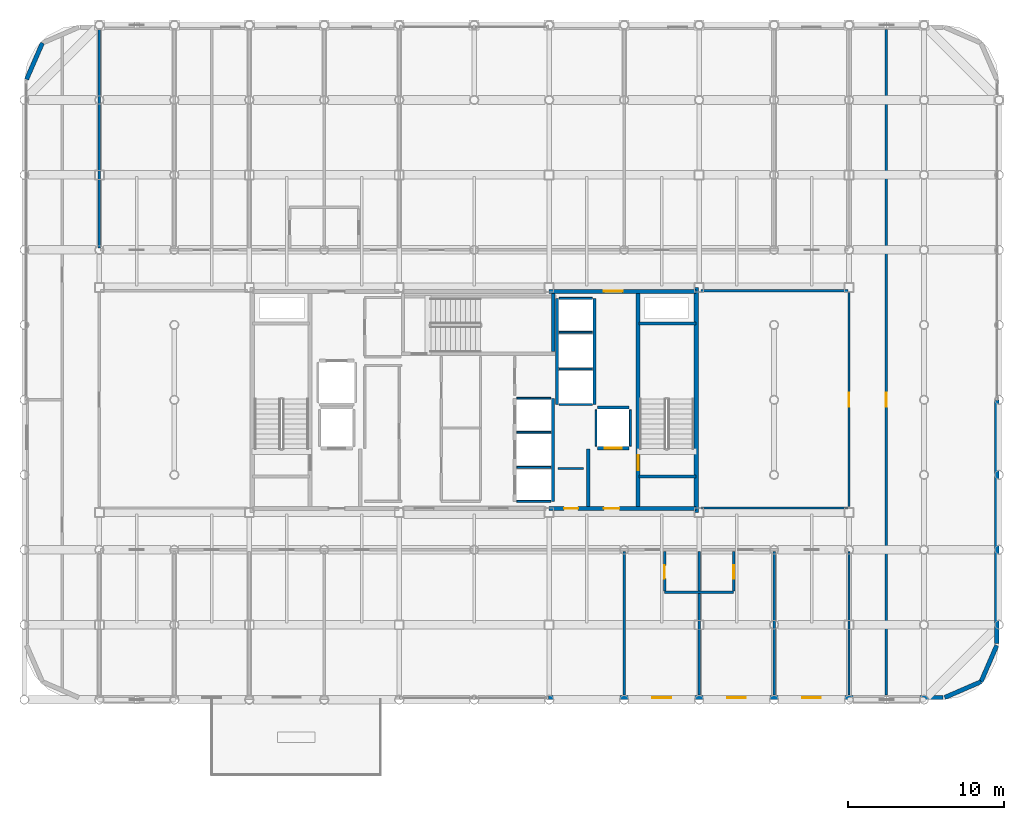
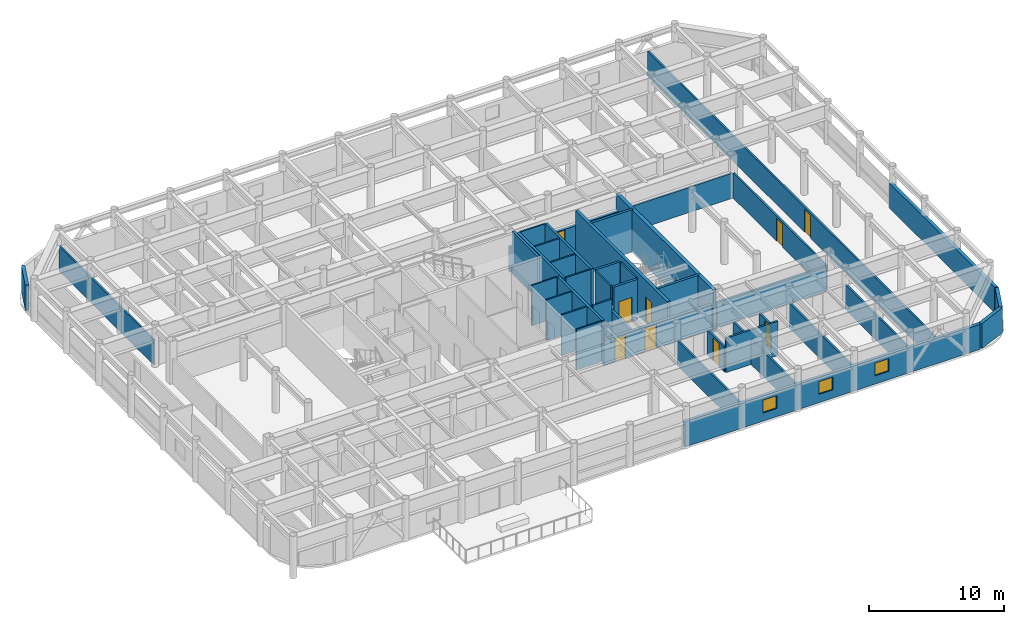
# One storey, part 22 of 26: 41 walls, 9 doors, 3 windows, 12 openings.
"""IFC4 building model written with IfcOpenShell, lengths in metres."""

from ifc_helpers import new_model, si_unit, direction, frame, frame_2d, origin, place, context, subcontext, project, spatial, rectangle, extrude, material, layer, layer_set, type_object, element, fill, save


model = new_model("IFC4")

# Units and contexts
model_context = context("Model", 3, precision=1e-05, world=origin(), true_north=direction((0.0, 1.0)))
body_context = subcontext(model_context, "Body", "Model", "MODEL_VIEW")
ifc_project = project(units=[si_unit("LENGTHUNIT", "METRE"), si_unit("AREAUNIT", "SQUARE_METRE"), si_unit("VOLUMEUNIT", "CUBIC_METRE"), si_unit("PLANEANGLEUNIT", "RADIAN"), si_unit("MASSUNIT", "GRAM", prefix="KILO")], contexts=[model_context])

# Site, building, storey
site_placement = place(None, origin())
site = spatial("IfcSite", under=ifc_project, at=site_placement, CompositionType="ELEMENT")
building_placement = place(site_placement, origin())
building = spatial("IfcBuilding", under=site, at=building_placement, Name="Kallvorn Hotel Tower", CompositionType="ELEMENT")
storey_placement = place(building_placement, frame((0.0, 0.0, 222.300048828125)))
storey = spatial("IfcBuildingStorey", under=building, at=storey_placement, Name="L55", CompositionType="ELEMENT", Elevation=222.300048828125)

# Walls
ifc_material_1 = material(Name="Concrete C50/60", Category="concrete")
ifc_layer_1 = layer(ifc_material_1, 0.300048828125)
ifc_layer_set_1 = layer_set([ifc_layer_1], Name="WL_CORE_300")
wall_type_1 = type_object("IfcWallType", Name="WL_CORE_300", PredefinedType="SHEAR", material=ifc_layer_set_1)
wall_1_placement = place(storey_placement, frame((14.215087890625, -7.199951171875, -0.179931640625), z_axis=(0.0, 0.0, 1.0), x_axis=(0.0, 1.0, 0.0)))
element("IfcWall", 1, at=wall_1_placement, inside=storey, type_object=wall_type_1, Name="L55 Core East Shear Wall", PredefinedType="SHEAR", context=body_context, shape_type="SweptSolid", body=[
    extrude(rectangle(XDim=14.39990234375, YDim=0.300048828125, at=frame_2d((7.199951171875, 0.0))), origin(), (0.0, 0.0, 1.0), 3.849853515625),
])
ifc_material_2 = material(Name="Fire-rated double-layer acoustic gypsum drywall EI 60")
ifc_layer_2 = layer(ifc_material_2, 0.159912109375)
ifc_layer_set_2 = layer_set([ifc_layer_2], Name="WL_DEMISE_160")
wall_type_2 = type_object("IfcWallType", Name="WL_DEMISE_160", PredefinedType="PARTITIONING", material=ifc_layer_set_2)
wall_2_placement = place(storey_placement, frame((12.18994140625, -12.320068359375, 0.0), z_axis=(0.0, 0.0, 1.0), x_axis=(1.0, 0.0, 0.0)))
element("IfcWall", 2, at=wall_2_placement, inside=storey, type_object=wall_type_2, Name="L55 Suite 5501 Superior Twin Room Partition", PredefinedType="PARTITIONING", context=body_context, shape_type="SweptSolid", body=[
    extrude(rectangle(XDim=4.420166015625, YDim=0.159912109375, at=frame_2d((2.2099609375, 0.0))), origin(), (0.0, 0.0, 1.0), 3.119873046875),
])
wall_3_placement = place(storey_placement, frame((9.60009765625, -18.909912109375, 0.0), z_axis=(0.0, 0.0, 1.0), x_axis=(0.0, 1.0, 0.0)))
element("IfcWall", 3, at=wall_3_placement, inside=storey, type_object=wall_type_2, Name="L55 Suite 5501 Superior Twin Room Partition", PredefinedType="PARTITIONING", context=body_context, shape_type="SweptSolid", body=[
    extrude(rectangle(XDim=9.18994140625, YDim=0.159912109375, at=frame_2d((4.594970703125, 0.0))), origin(), (0.0, 0.0, 1.0), 2.27001953125),
])

# Wall, opening, door
wall_4_placement = place(storey_placement, frame((12.18994140625, -12.235107421875, 0.0), z_axis=(0.0, 0.0, 1.0), x_axis=(0.0, 1.0, 0.0)))
wall_4 = element("IfcWall", 4, at=wall_4_placement, inside=storey, type_object=wall_type_2, Name="L55 Suite 5501 Superior Twin Room Partition", PredefinedType="PARTITIONING", context=body_context, shape_type="SweptSolid", body=[
    extrude(rectangle(XDim=2.51513671875, YDim=0.159912109375, at=frame_2d((1.257568359375, 0.0))), origin(), (0.0, 0.0, 1.0), 2.27001953125),
])
opening_1_placement = place(wall_4_placement, frame((0.784912109375, 0.0, 0.0)))
opening_1 = element("IfcOpeningElement", 5, at=opening_1_placement, cuts=wall_4, Name="Opening BD-I", PredefinedType="OPENING", context=body_context, shape_type="SweptSolid", body=[
    extrude(rectangle(XDim=0.860107421875, YDim=2.10009765625, at=frame_2d((0.43017578125, 1.050048828125))), frame((0.0, 0.094970703125, 0.0), z_axis=(0.0, -1.0, 0.0), x_axis=(1.0, 0.0, 0.0)), (0.0, 0.0, 1.0), 0.18994140625),
])
ifc_material_3 = material(Name="Solid-core walnut veneer fire-rated timber door leaf", Category="wood")
door_type_1 = type_object("IfcDoorType", Name="DR_BATH_860x2100", OperationType="NOTDEFINED", PredefinedType="DOOR", material=ifc_material_3)
door_1_placement = place(opening_1_placement, origin())
door_1 = element("IfcDoor", 6, at=door_1_placement, inside=storey, type_object=door_type_1, Name="L55 Suite 5501 En-Suite Bathroom Door", OperationType="SINGLE_SWING_RIGHT", OverallHeight=2.10009765625, OverallWidth=0.860107421875, PredefinedType="DOOR", context=body_context, shape_type="SweptSolid", body=[
    extrude(rectangle(XDim=0.860107421875, YDim=2.10009765625, at=frame_2d((0.43017578125, 1.050048828125))), frame((0.0, 0.02490234375, 0.0), z_axis=(0.0, -1.0, 0.0), x_axis=(1.0, 0.0, 0.0)), (0.0, 0.0, 1.0), 0.050048828125),
])
fill(opening_1, door_1)

# Wall
wall_5_placement = place(storey_placement, frame((14.39990234375, -18.909912109375, 0.0), z_axis=(0.0, 0.0, 1.0), x_axis=(0.0, 1.0, 0.0)))
element("IfcWall", 7, at=wall_5_placement, inside=storey, type_object=wall_type_2, Name="L55 Suite 5501 Superior Twin Room Partition", PredefinedType="PARTITIONING", context=body_context, shape_type="SweptSolid", body=[
    extrude(rectangle(XDim=9.18994140625, YDim=0.159912109375, at=frame_2d((4.594970703125, 0.0))), origin(), (0.0, 0.0, 1.0), 2.27001953125),
])

# Wall, opening, door
wall_6_placement = place(storey_placement, frame((16.610107421875, -12.235107421875, 0.0), z_axis=(0.0, 0.0, 1.0), x_axis=(0.0, 1.0, 0.0)))
wall_6 = element("IfcWall", 8, at=wall_6_placement, inside=storey, type_object=wall_type_2, Name="L55 Suite 5502 Superior Twin Room Partition", PredefinedType="PARTITIONING", context=body_context, shape_type="SweptSolid", body=[
    extrude(rectangle(XDim=2.51513671875, YDim=0.159912109375, at=frame_2d((1.257568359375, 0.0))), origin(), (0.0, 0.0, 1.0), 2.27001953125),
])
opening_2_placement = place(wall_6_placement, frame((0.784912109375, 0.0, 0.0)))
opening_2 = element("IfcOpeningElement", 9, at=opening_2_placement, cuts=wall_6, Name="Opening BD-I", PredefinedType="OPENING", context=body_context, shape_type="SweptSolid", body=[
    extrude(rectangle(XDim=0.860107421875, YDim=2.10009765625, at=frame_2d((0.43017578125, 1.050048828125))), frame((0.0, 0.094970703125, 0.0), z_axis=(0.0, -1.0, 0.0), x_axis=(1.0, 0.0, 0.0)), (0.0, 0.0, 1.0), 0.18994140625),
])
door_2_placement = place(opening_2_placement, origin())
door_2 = element("IfcDoor", 10, at=door_2_placement, inside=storey, type_object=door_type_1, Name="L55 Suite 5502 En-Suite Bathroom Door", OperationType="SINGLE_SWING_LEFT", OverallHeight=2.10009765625, OverallWidth=0.860107421875, PredefinedType="DOOR", context=body_context, shape_type="SweptSolid", body=[
    extrude(rectangle(XDim=0.860107421875, YDim=2.10009765625, at=frame_2d((0.43017578125, 1.050048828125))), frame((0.0, 0.02490234375, 0.0), z_axis=(0.0, -1.0, 0.0), x_axis=(1.0, 0.0, 0.0)), (0.0, 0.0, 1.0), 0.050048828125),
])
fill(opening_2, door_2)

# Walls
wall_7_placement = place(storey_placement, frame((19.199951171875, -18.909912109375, 0.0), z_axis=(0.0, 0.0, 1.0), x_axis=(0.0, 1.0, 0.0)))
element("IfcWall", 11, at=wall_7_placement, inside=storey, type_object=wall_type_2, Name="L55 Suite 5502 Superior Twin Room Partition", PredefinedType="PARTITIONING", context=body_context, shape_type="SweptSolid", body=[
    extrude(rectangle(XDim=9.18994140625, YDim=0.159912109375, at=frame_2d((4.594970703125, 0.0))), origin(), (0.0, 0.0, 1.0), 2.27001953125),
])
ifc_material_4 = material(Name="Precast basalt-clad insulated concrete wall C40/50", Category="masonry")
ifc_layer_3 = layer(ifc_material_4, 0.280029296875)
ifc_layer_set_3 = layer_set([ifc_layer_3], Name="WL_EXT_LOGGIA_280")
wall_type_3 = type_object("IfcWallType", Name="WL_EXT_LOGGIA_280", PredefinedType="SOLIDWALL", material=ifc_layer_set_3)
wall_8_placement = place(storey_placement, frame((30.120849609375, -19.057861328125, 0.0), z_axis=(0.0, 0.0, 1.0), x_axis=(0.917060872934, 0.398747232384, 0.0)))
element("IfcWall", 12, at=wall_8_placement, inside=storey, type_object=wall_type_3, Name="L55 Rounded Corner Exterior Wall SE1", PredefinedType="SOLIDWALL", context=body_context, shape_type="SweptSolid", body=[
    extrude(rectangle(XDim=2.5361328125, YDim=0.280029296875, at=frame_2d((1.26806640625, 0.0))), origin(), (0.0, 0.0, 1.0), 2.27001953125),
])
for number, where, z_axis, x_axis, name in (
    (13, (32.446533203125, -18.046630859375, 0.0), (0.0, 0.0, 1.0), (0.398792985289, 0.917040977756, 0.0), "L55 Rounded Corner Exterior Wall SE2"),
    (14, (-27.646484375, 22.8466796875, 0.0), (0.0, 0.0, 1.0), (-0.398792985289, -0.917040977756, 0.0), "L55 Rounded Corner Exterior Wall NW2"),
):
    element("IfcWall", number, at=place(storey_placement, frame(where, z_axis=z_axis, x_axis=x_axis)), inside=storey, type_object=wall_type_3, Name=name, PredefinedType="SOLIDWALL", context=body_context, shape_type="SweptSolid", body=[
        extrude(rectangle(XDim=2.536376953125, YDim=0.280029296875, at=frame_2d((1.26806640625, 0.0))), origin(), (0.0, 0.0, 1.0), 2.27001953125),
    ])

# Wall, openings, windows
wall_9_placement = place(storey_placement, frame((4.75, -19.06005859375, 0.0), z_axis=(0.0, 0.0, 1.0), x_axis=(1.0, 0.0, 0.0)))
wall_9 = element("IfcWall", 15, at=wall_9_placement, inside=storey, type_object=wall_type_3, Name="L55 Exterior Envelope Wall EW-L55-SE", PredefinedType="SOLIDWALL", context=body_context, shape_type="SweptSolid", body=[
    extrude(rectangle(XDim=25.25, YDim=0.280029296875, at=frame_2d((12.625, 0.0))), origin(), (0.0, 0.0, 1.0), 2.27001953125),
])
opening_3_placement = place(wall_9_placement, frame((16.25, 0.0, 0.75)))
opening_3 = element("IfcOpeningElement", 16, at=opening_3_placement, cuts=wall_9, Name="Opening W06A", PredefinedType="OPENING", context=body_context, shape_type="SweptSolid", body=[
    extrude(rectangle(XDim=1.199951171875, YDim=1.14990234375, at=frame_2d((0.60009765625, 0.574951171875))), frame((0.0, 0.155029296875, 0.0), z_axis=(0.0, -1.0, 0.0), x_axis=(1.0, 0.0, 0.0)), (0.0, 0.0, 1.0), 0.31005859375),
])
opening_4_placement = place(wall_9_placement, frame((6.64990234375, 0.0, 0.75)))
opening_4 = element("IfcOpeningElement", 17, at=opening_4_placement, cuts=wall_9, Name="Opening W06A", PredefinedType="OPENING", context=body_context, shape_type="SweptSolid", body=[
    extrude(rectangle(XDim=1.199951171875, YDim=1.14990234375, at=frame_2d((0.60009765625, 0.574951171875))), frame((0.0, 0.155029296875, 0.0), z_axis=(0.0, -1.0, 0.0), x_axis=(1.0, 0.0, 0.0)), (0.0, 0.0, 1.0), 0.31005859375),
])
opening_5_placement = place(wall_9_placement, frame((11.449951171875, 0.0, 0.75)))
opening_5 = element("IfcOpeningElement", 18, at=opening_5_placement, cuts=wall_9, Name="Opening W06A", PredefinedType="OPENING", context=body_context, shape_type="SweptSolid", body=[
    extrude(rectangle(XDim=1.199951171875, YDim=1.14990234375, at=frame_2d((0.60009765625, 0.574951171875))), frame((0.0, 0.155029296875, 0.0), z_axis=(0.0, -1.0, 0.0), x_axis=(1.0, 0.0, 0.0)), (0.0, 0.0, 1.0), 0.31005859375),
])
ifc_material_5 = material(Name="Triple-glazed low-e acoustic solar-control dark glass", Category="glass")
window_type = type_object("IfcWindowType", Name="WN_HTL_1200x1150", PartitioningType="SINGLE_PANEL", PredefinedType="WINDOW", material=ifc_material_5)
window_1_placement = place(opening_3_placement, origin())
window_1 = element("IfcWindow", 19, at=window_1_placement, inside=storey, type_object=window_type, Name="L55 Guestroom Exterior Window 01", OverallHeight=1.14990234375, OverallWidth=1.199951171875, PartitioningType="SINGLE_PANEL", PredefinedType="WINDOW", context=body_context, shape_type="SweptSolid", body=[
    extrude(rectangle(XDim=1.199951171875, YDim=1.14990234375, at=frame_2d((0.60009765625, 0.574951171875))), frame((0.0, 0.030029296875, 0.0), z_axis=(0.0, -1.0, 0.0), x_axis=(1.0, 0.0, 0.0)), (0.0, 0.0, 1.0), 0.06005859375),
])
fill(opening_3, window_1)
window_2_placement = place(opening_4_placement, origin())
window_2 = element("IfcWindow", 20, at=window_2_placement, inside=storey, type_object=window_type, Name="L55 Guestroom Exterior Window 05", OverallHeight=1.14990234375, OverallWidth=1.199951171875, PartitioningType="SINGLE_PANEL", PredefinedType="WINDOW", context=body_context, shape_type="SweptSolid", body=[
    extrude(rectangle(XDim=1.199951171875, YDim=1.14990234375, at=frame_2d((0.60009765625, 0.574951171875))), frame((0.0, 0.030029296875, 0.0), z_axis=(0.0, -1.0, 0.0), x_axis=(1.0, 0.0, 0.0)), (0.0, 0.0, 1.0), 0.06005859375),
])
fill(opening_4, window_2)
window_3_placement = place(opening_5_placement, origin())
window_3 = element("IfcWindow", 21, at=window_3_placement, inside=storey, type_object=window_type, Name="L55 Guestroom Exterior Window 06", OverallHeight=1.14990234375, OverallWidth=1.199951171875, PartitioningType="SINGLE_PANEL", PredefinedType="WINDOW", context=body_context, shape_type="SweptSolid", body=[
    extrude(rectangle(XDim=1.199951171875, YDim=1.14990234375, at=frame_2d((0.60009765625, 0.574951171875))), frame((0.0, 0.030029296875, 0.0), z_axis=(0.0, -1.0, 0.0), x_axis=(1.0, 0.0, 0.0)), (0.0, 0.0, 1.0), 0.06005859375),
])
fill(opening_5, window_3)

# Walls
wall_10_placement = place(storey_placement, frame((33.4599609375, -15.60009765625, 0.0), z_axis=(0.0, 0.0, 1.0), x_axis=(0.0, 1.0, 0.0)))
element("IfcWall", 22, at=wall_10_placement, inside=storey, type_object=wall_type_3, Name="L55 Exterior Envelope Wall EW-L55-ES", PredefinedType="SOLIDWALL", context=body_context, shape_type="SweptSolid", body=[
    extrude(rectangle(XDim=15.580078125, YDim=0.280029296875, at=frame_2d((7.7900390625, 0.0))), origin(), (0.0, 0.0, 1.0), 2.27001953125),
])
ifc_material_6 = material(Name="Concrete C40/50", Category="concrete")
ifc_layer_4 = layer(ifc_material_6, 0.219970703125)
ifc_layer_set_4 = layer_set([ifc_layer_4], Name="WL_FFL_220")
wall_type_4 = type_object("IfcWallType", Name="WL_FFL_220", PredefinedType="SOLIDWALL", material=ifc_layer_set_4)
wall_11_placement = place(storey_placement, frame((7.300048828125, -6.820068359375, 0.0), z_axis=(0.0, 0.0, 1.0), x_axis=(0.0, 1.0, 0.0)))
element("IfcWall", 23, at=wall_11_placement, inside=storey, type_object=wall_type_4, Name="L55 Firefighting Lobby East Divider Wall", PredefinedType="SOLIDWALL", context=body_context, shape_type="SweptSolid", body=[
    extrude(rectangle(XDim=3.670166015625, YDim=0.219970703125, at=frame_2d((1.8349609375, 0.0))), origin(), (0.0, 0.0, 1.0), 2.27001953125),
])
ifc_material_7 = material(Name="Concrete C40/50", Category="concrete")
ifc_layer_5 = layer(ifc_material_7, 0.199951171875)
ifc_layer_set_5 = layer_set([ifc_layer_5], Name="WL_HOIST_200")
wall_type_5 = type_object("IfcWallType", Name="WL_HOIST_200", PredefinedType="SOLIDWALL", material=ifc_layer_set_5)
for number, where, z_axis, x_axis, name in (
    (24, (10.550048828125, -4.89990234375, -0.179931640625), (0.0, 0.0, 1.0), (1.0, 0.0, 0.0), "L55 Stair ST2 South Wall"),
    (25, (10.550048828125, 4.89990234375, -0.179931640625), (0.0, 0.0, 1.0), (1.0, 0.0, 0.0), "L55 Stair ST2 North Wall"),
):
    element("IfcWall", number, at=place(storey_placement, frame(where, z_axis=z_axis, x_axis=x_axis)), inside=storey, type_object=wall_type_5, Name=name, PredefinedType="SOLIDWALL", context=body_context, shape_type="SweptSolid", body=[
        extrude(rectangle(XDim=3.64990234375, YDim=0.199951171875, at=frame_2d((1.824951171875, 0.0))), origin(), (0.0, 0.0, 1.0), 3.849853515625),
    ])
wall_12_placement = place(storey_placement, frame((5.06005859375, 3.080078125, -0.179931640625), z_axis=(0.0, 0.0, 1.0), x_axis=(0.0, 1.0, 0.0)))
element("IfcWall", 26, at=wall_12_placement, inside=storey, type_object=wall_type_5, Name="L55 Stair ST3 East Wall", PredefinedType="SOLIDWALL", context=body_context, shape_type="SweptSolid", body=[
    extrude(rectangle(XDim=3.739990234375, YDim=0.199951171875, at=frame_2d((1.8701171875, 0.0))), origin(), (0.0, 0.0, 1.0), 3.849853515625),
])
wall_13_placement = place(storey_placement, frame((5.050048828125, -6.5, 0.0), z_axis=(0.0, 0.0, 1.0), x_axis=(0.0, 1.0, 0.0)))
element("IfcWall", 27, at=wall_13_placement, inside=storey, type_object=wall_type_5, Name="L55 Lift Bank B3A Rear Shaft Wall", PredefinedType="SOLIDWALL", context=body_context, shape_type="SweptSolid", body=[
    extrude(rectangle(XDim=6.60009765625, YDim=0.199951171875, at=frame_2d((3.300048828125, 0.0))), origin(), (0.0, 0.0, 1.0), 3.669921875),
])
for number, where, z_axis, x_axis, name in (
    (28, (7.699951171875, -0.300048828125, 0.0), (0.0, 0.0, 1.0), (0.0, 1.0, 0.0), "L55 Lift Bank OBS Landing Wall"),
    (29, (5.300048828125, -0.300048828125, 0.0), (0.0, 0.0, 1.0), (0.0, 1.0, 0.0), "L55 Lift Bank OBS Rear Shaft Wall"),
):
    element("IfcWall", number, at=place(storey_placement, frame(where, z_axis=z_axis, x_axis=x_axis)), inside=storey, type_object=wall_type_5, Name=name, PredefinedType="SOLIDWALL", context=body_context, shape_type="SweptSolid", body=[
        extrude(rectangle(XDim=6.800048828125, YDim=0.199951171875, at=frame_2d((3.39990234375, 0.0))), origin(), (0.0, 0.0, 1.0), 3.669921875),
    ])

# Wall, opening, door
wall_14_placement = place(storey_placement, frame((7.8798828125, -3.10009765625, 0.0), z_axis=(0.0, 0.0, 1.0), x_axis=(1.0, 0.0, 0.0)))
wall_14 = element("IfcWall", 30, at=wall_14_placement, inside=storey, type_object=wall_type_5, Name="L55 FL-2 Landing Wall", PredefinedType="SOLIDWALL", context=body_context, shape_type="SweptSolid", body=[
    extrude(rectangle(XDim=2.0400390625, YDim=0.199951171875, at=frame_2d((1.02001953125, 0.0))), origin(), (0.0, 0.0, 1.0), 3.669921875),
])
opening_6_placement = place(wall_14_placement, frame((0.469970703125, 0.0, 0.0)))
opening_6 = element("IfcOpeningElement", 31, at=opening_6_placement, cuts=wall_14, Name="Opening LD-FL-2", PredefinedType="OPENING", context=body_context, shape_type="SweptSolid", body=[
    extrude(rectangle(XDim=1.10009765625, YDim=2.199951171875, at=frame_2d((0.550048828125, 1.10009765625))), frame((0.0, 0.114990234375, 0.0), z_axis=(0.0, -1.0, 0.0), x_axis=(1.0, 0.0, 0.0)), (0.0, 0.0, 1.0), 0.22998046875),
])
ifc_material_8 = material(Name="Brushed stainless-steel automatic sliding lift landing door", Category="steel")
door_type_2 = type_object("IfcDoorType", Name="LD_PASS_1100x2200", OperationType="SLIDING_TO_LEFT", PredefinedType="DOOR", material=ifc_material_8)
door_3_placement = place(opening_6_placement, origin())
door_3 = element("IfcDoor", 32, at=door_3_placement, inside=storey, type_object=door_type_2, Name="L55 Lift Landing Sliding Door LD-FL-2", OperationType="SLIDING_TO_LEFT", OverallHeight=2.199951171875, OverallWidth=1.10009765625, PredefinedType="DOOR", context=body_context, shape_type="SweptSolid", body=[
    extrude(rectangle(XDim=1.10009765625, YDim=2.199951171875, at=frame_2d((0.550048828125, 1.10009765625))), frame((0.0, 0.02490234375, 0.0), z_axis=(0.0, -1.0, 0.0), x_axis=(1.0, 0.0, 0.0)), (0.0, 0.0, 1.0), 0.050048828125),
])
fill(opening_6, door_3)

# Walls
wall_15_placement = place(storey_placement, frame((7.8798828125, -0.5, 0.0), z_axis=(0.0, 0.0, 1.0), x_axis=(1.0, 0.0, 0.0)))
element("IfcWall", 33, at=wall_15_placement, inside=storey, type_object=wall_type_5, Name="L55 FL-2 Rear Shaft Wall", PredefinedType="SOLIDWALL", context=body_context, shape_type="SweptSolid", body=[
    extrude(rectangle(XDim=2.0400390625, YDim=0.199951171875, at=frame_2d((1.02001953125, 0.0))), origin(), (0.0, 0.0, 1.0), 3.669921875),
])
ifc_material_9 = material(Name="Fire-rated double-layer acoustic gypsum drywall EI 60")
ifc_layer_6 = layer(ifc_material_9, 0.1201171875)
ifc_layer_set_6 = layer_set([ifc_layer_6], Name="WL_INT_120")
wall_type_6 = type_object("IfcWallType", Name="WL_INT_120", PredefinedType="PARTITIONING", material=ifc_layer_set_6)
for number, where, z_axis, x_axis, name in (
    (34, (2.739990234375, -6.5, 0.0), (0.0, 0.0, 1.0), (1.0, 0.0, 0.0), "L55 Lift Bank B3A South Closure Wall"),
    (35, (2.739990234375, -4.324951171875, 0.0), (0.0, 0.0, 1.0), (1.0, 0.0, 0.0), "L55 PL-09 Hoistway Divider"),
    (36, (2.739990234375, -2.074951171875, 0.0), (0.0, 0.0, 1.0), (1.0, 0.0, 0.0), "L55 PL-10 Hoistway Divider"),
    (37, (2.739990234375, 0.10009765625, 0.0), (0.0, 0.0, 1.0), (1.0, 0.0, 0.0), "L55 PL-11 Hoistway Divider"),
):
    element("IfcWall", number, at=place(storey_placement, frame(where, z_axis=z_axis, x_axis=x_axis)), inside=storey, type_object=wall_type_6, Name=name, PredefinedType="PARTITIONING", context=body_context, shape_type="SweptSolid", body=[
        extrude(rectangle(XDim=2.169921875, YDim=0.1201171875, at=frame_2d((1.0849609375, 0.0))), origin(), (0.0, 0.0, 1.0), 3.669921875),
    ])
for number, where, z_axis, x_axis, name in (
    (38, (5.43994140625, -0.300048828125, 0.0), (0.0, 0.0, 1.0), (1.0, 0.0, 0.0), "L55 Lift Bank OBS South Closure Wall"),
    (39, (5.43994140625, 1.97509765625, 0.0), (0.0, 0.0, 1.0), (1.0, 0.0, 0.0), "L55 OB-01 Hoistway Divider"),
    (40, (5.43994140625, 4.324951171875, 0.0), (0.0, 0.0, 1.0), (1.0, 0.0, 0.0), "L55 OB-02 Hoistway Divider"),
    (41, (5.43994140625, 6.5, 0.0), (0.0, 0.0, 1.0), (1.0, 0.0, 0.0), "L55 OB-03 Hoistway Divider"),
):
    element("IfcWall", number, at=place(storey_placement, frame(where, z_axis=z_axis, x_axis=x_axis)), inside=storey, type_object=wall_type_6, Name=name, PredefinedType="PARTITIONING", context=body_context, shape_type="SweptSolid", body=[
        extrude(rectangle(XDim=2.1201171875, YDim=0.1201171875, at=frame_2d((1.06005859375, 0.0))), origin(), (0.0, 0.0, 1.0), 3.669921875),
    ])
for number, where, z_axis, x_axis, name in (
    (42, (7.800048828125, -2.9599609375, 0.0), (0.0, 0.0, 1.0), (0.0, 1.0, 0.0), "L55 FL-2 West Shaft Wall"),
    (43, (10.0, -2.9599609375, 0.0), (0.0, 0.0, 1.0), (0.0, 1.0, 0.0), "L55 FL-2 East Shaft Wall"),
):
    element("IfcWall", number, at=place(storey_placement, frame(where, z_axis=z_axis, x_axis=x_axis)), inside=storey, type_object=wall_type_6, Name=name, PredefinedType="PARTITIONING", context=body_context, shape_type="SweptSolid", body=[
        extrude(rectangle(XDim=2.320068359375, YDim=0.1201171875, at=frame_2d((1.16015625, 0.0))), origin(), (0.0, 0.0, 1.0), 3.669921875),
    ])
ifc_material_10 = material(Name="Fire-rated double-layer acoustic gypsum drywall EI 60")
ifc_layer_7 = layer(ifc_material_10, 0.14990234375)
ifc_layer_set_7 = layer_set([ifc_layer_7], Name="WL_PART_150")
wall_type_7 = type_object("IfcWallType", Name="WL_PART_150", PredefinedType="PARTITIONING", material=ifc_layer_set_7)
for number, where, z_axis, x_axis, name in (
    (44, (14.52001953125, -6.919921875, 0.0), (0.0, 0.0, 1.0), (1.0, 0.0, 0.0), "L55 L55 High-Zone Inner East Club Gallery Partition"),
    (45, (14.52001953125, 6.97998046875, 0.0), (0.0, 0.0, 1.0), (1.0, 0.0, 0.0), "L55 L55 High-Zone Inner East Club Gallery Partition"),
):
    element("IfcWall", number, at=place(storey_placement, frame(where, z_axis=z_axis, x_axis=x_axis)), inside=storey, type_object=wall_type_7, Name=name, PredefinedType="PARTITIONING", context=body_context, shape_type="SweptSolid", body=[
        extrude(rectangle(XDim=9.39990234375, YDim=0.14990234375, at=frame_2d((4.699951171875, 0.0))), origin(), (0.0, 0.0, 1.0), 2.27001953125),
    ])
wall_16_placement = place(storey_placement, frame((-24.0, 9.719970703125, 0.0), z_axis=(0.0, 0.0, 1.0), x_axis=(0.0, 1.0, 0.0)))
element("IfcWall", 46, at=wall_16_placement, inside=storey, type_object=wall_type_7, Name="L55 L55 High-Zone North-West Reading Salon Partition", PredefinedType="PARTITIONING", context=body_context, shape_type="SweptSolid", body=[
    extrude(rectangle(XDim=13.989990234375, YDim=0.14990234375, at=frame_2d((6.9951171875, 0.0))), origin(), (0.0, 0.0, 1.0), 2.27001953125),
])
wall_17_placement = place(storey_placement, frame((24.0, -18.909912109375, 0.0), z_axis=(0.0, 0.0, 1.0), x_axis=(0.0, 1.0, 0.0)))
element("IfcWall", 47, at=wall_17_placement, inside=storey, type_object=wall_type_7, Name="L55 L55 High-Zone South-East Wine Bar Partition", PredefinedType="PARTITIONING", context=body_context, shape_type="SweptSolid", body=[
    extrude(rectangle(XDim=9.18994140625, YDim=0.14990234375, at=frame_2d((4.594970703125, 0.0))), origin(), (0.0, 0.0, 1.0), 2.27001953125),
])

# Wall, opening, door
wall_18_placement = place(storey_placement, frame((24.0, -6.8349609375, 0.0), z_axis=(0.0, 0.0, 1.0), x_axis=(0.0, 1.0, 0.0)))
wall_18 = element("IfcWall", 48, at=wall_18_placement, inside=storey, type_object=wall_type_7, Name="L55 L55 High-Zone Inner East Club Gallery Partition", PredefinedType="PARTITIONING", context=body_context, shape_type="SweptSolid", body=[
    extrude(rectangle(XDim=13.72998046875, YDim=0.14990234375, at=frame_2d((6.864990234375, 0.0))), origin(), (0.0, 0.0, 1.0), 2.27001953125),
])
opening_7_placement = place(wall_18_placement, frame((6.385009765625, 0.0, 0.0)))
opening_7 = element("IfcOpeningElement", 49, at=opening_7_placement, cuts=wall_18, Name="Opening SVD1", PredefinedType="OPENING", context=body_context, shape_type="SweptSolid", body=[
    extrude(rectangle(XDim=0.89990234375, YDim=2.10009765625, at=frame_2d((0.449951171875, 1.050048828125))), frame((0.0, 0.08984375, 0.0), z_axis=(0.0, -1.0, 0.0), x_axis=(1.0, 0.0, 0.0)), (0.0, 0.0, 1.0), 0.179931640625),
])
ifc_material_11 = material(Name="Galvanised painted steel fire-rated door assembly", Category="steel")
door_type_3 = type_object("IfcDoorType", Name="DR_SERV_900x2100", OperationType="NOTDEFINED", PredefinedType="DOOR", material=ifc_material_11)
door_4_placement = place(opening_7_placement, origin())
door_4 = element("IfcDoor", 50, at=door_4_placement, inside=storey, type_object=door_type_3, Name="L55 L55 High-Zone Inner East Club Gallery Door", OperationType="SINGLE_SWING_LEFT", OverallHeight=2.10009765625, OverallWidth=0.89990234375, PredefinedType="DOOR", context=body_context, shape_type="SweptSolid", body=[
    extrude(rectangle(XDim=0.89990234375, YDim=2.10009765625, at=frame_2d((0.449951171875, 1.050048828125))), frame((0.0, 0.02490234375, 0.0), z_axis=(0.0, -1.0, 0.0), x_axis=(1.0, 0.0, 0.0)), (0.0, 0.0, 1.0), 0.050048828125),
])
fill(opening_7, door_4)

wall_19_placement = place(storey_placement, frame((26.3798828125, -18.909912109375, 0.0), z_axis=(0.0, 0.0, 1.0), x_axis=(0.0, 1.0, 0.0)))
wall_19 = element("IfcWall", 51, at=wall_19_placement, inside=storey, type_object=wall_type_7, Name="L55 L55 Outer East Sky Observatory Salon Partition", PredefinedType="PARTITIONING", context=body_context, shape_type="SweptSolid", body=[
    extrude(rectangle(XDim=42.619873046875, YDim=0.14990234375, at=frame_2d((21.31005859375, 0.0))), origin(), (0.0, 0.0, 1.0), 2.27001953125),
])
opening_8_placement = place(wall_19_placement, frame((18.4599609375, 0.0, 0.0)))
opening_8 = element("IfcOpeningElement", 52, at=opening_8_placement, cuts=wall_19, Name="Opening SVD1", PredefinedType="OPENING", context=body_context, shape_type="SweptSolid", body=[
    extrude(rectangle(XDim=0.89990234375, YDim=2.10009765625, at=frame_2d((0.449951171875, 1.050048828125))), frame((0.0, 0.08984375, 0.0), z_axis=(0.0, -1.0, 0.0), x_axis=(1.0, 0.0, 0.0)), (0.0, 0.0, 1.0), 0.179931640625),
])
door_5_placement = place(opening_8_placement, origin())
door_5 = element("IfcDoor", 53, at=door_5_placement, inside=storey, type_object=door_type_3, Name="L55 L55 Outer East Sky Observatory Salon Door", OperationType="SINGLE_SWING_LEFT", OverallHeight=2.10009765625, OverallWidth=0.89990234375, PredefinedType="DOOR", context=body_context, shape_type="SweptSolid", body=[
    extrude(rectangle(XDim=0.89990234375, YDim=2.10009765625, at=frame_2d((0.449951171875, 1.050048828125))), frame((0.0, 0.02490234375, 0.0), z_axis=(0.0, -1.0, 0.0), x_axis=(1.0, 0.0, 0.0)), (0.0, 0.0, 1.0), 0.050048828125),
])
fill(opening_8, door_5)

# Wall
ifc_material_12 = material(Name="Moisture-resistant acoustic plumbing chase wall EI 60")
ifc_layer_8 = layer(ifc_material_12, 0.139892578125)
ifc_layer_set_8 = layer_set([ifc_layer_8], Name="WL_PLUMB_140")
wall_type_8 = type_object("IfcWallType", Name="WL_PLUMB_140", PredefinedType="PLUMBINGWALL", material=ifc_layer_set_8)
wall_20_placement = place(storey_placement, frame((5.35009765625, -4.39990234375, 0.0), z_axis=(0.0, 0.0, 1.0), x_axis=(1.0, 0.0, 0.0)))
element("IfcWall", 54, at=wall_20_placement, inside=storey, type_object=wall_type_8, Name="L55 Core Staff Restroom WC Partition", PredefinedType="PLUMBINGWALL", context=body_context, shape_type="SweptSolid", body=[
    extrude(rectangle(XDim=1.64990234375, YDim=0.139892578125, at=frame_2d((0.824951171875, 0.0))), origin(), (0.0, 0.0, 1.0), 3.669921875),
])

# Wall, openings, doors
ifc_material_13 = material(Name="Concrete C40/50", Category="concrete")
ifc_layer_9 = layer(ifc_material_13, 0.25)
ifc_layer_set_9 = layer_set([ifc_layer_9], Name="WL_SHAFT_250")
wall_type_9 = type_object("IfcWallType", Name="WL_SHAFT_250", PredefinedType="SOLIDWALL", material=ifc_layer_set_9)
wall_21_placement = place(storey_placement, frame((4.800048828125, -6.949951171875, 0.0), z_axis=(0.0, 0.0, 1.0), x_axis=(1.0, 0.0, 0.0)))
wall_21 = element("IfcWall", 55, at=wall_21_placement, inside=storey, type_object=wall_type_9, Name="L55 Core South-East Wall", PredefinedType="SOLIDWALL", context=body_context, shape_type="SweptSolid", body=[
    extrude(rectangle(XDim=9.39990234375, YDim=0.25, at=frame_2d((4.699951171875, 0.0))), origin(), (0.0, 0.0, 1.0), 2.27001953125),
])
opening_9_placement = place(wall_21_placement, frame((3.5, 0.0, 0.0)))
opening_9 = element("IfcOpeningElement", 56, at=opening_9_placement, cuts=wall_21, Name="Opening FD1", PredefinedType="OPENING", context=body_context, shape_type="SweptSolid", body=[
    extrude(rectangle(XDim=1.0, YDim=2.14990234375, at=frame_2d((0.5, 1.074951171875))), frame((0.0, 0.139892578125, 0.0), z_axis=(0.0, -1.0, 0.0), x_axis=(1.0, 0.0, 0.0)), (0.0, 0.0, 1.0), 0.280029296875),
])
opening_10_placement = place(wall_21_placement, frame((0.949951171875, 0.0, 0.0)))
opening_10 = element("IfcOpeningElement", 57, at=opening_10_placement, cuts=wall_21, Name="Opening SVD1", PredefinedType="OPENING", context=body_context, shape_type="SweptSolid", body=[
    extrude(rectangle(XDim=0.89990234375, YDim=2.10009765625, at=frame_2d((0.449951171875, 1.050048828125))), frame((0.0, 0.139892578125, 0.0), z_axis=(0.0, -1.0, 0.0), x_axis=(1.0, 0.0, 0.0)), (0.0, 0.0, 1.0), 0.280029296875),
])
ifc_material_14 = material(Name="Galvanised painted steel fire-rated door assembly", Category="steel")
door_type_4 = type_object("IfcDoorType", Name="DR_FFL_1000x2150", OperationType="NOTDEFINED", PredefinedType="DOOR", material=ifc_material_14)
door_6_placement = place(opening_9_placement, origin())
door_6 = element("IfcDoor", 58, at=door_6_placement, inside=storey, type_object=door_type_4, Name="L55 Firefighting Lobby East Door", OperationType="SINGLE_SWING_RIGHT", OverallHeight=2.14990234375, OverallWidth=1.0, PredefinedType="DOOR", context=body_context, shape_type="SweptSolid", body=[
    extrude(rectangle(XDim=1.0, YDim=2.14990234375, at=frame_2d((0.5, 1.074951171875))), frame((0.0, 0.02490234375, 0.0), z_axis=(0.0, -1.0, 0.0), x_axis=(1.0, 0.0, 0.0)), (0.0, 0.0, 1.0), 0.050048828125),
])
fill(opening_9, door_6)
door_7_placement = place(opening_10_placement, origin())
door_7 = element("IfcDoor", 59, at=door_7_placement, inside=storey, type_object=door_type_3, Name="L55 Core Staff Restroom WC Door", OperationType="SINGLE_SWING_LEFT", OverallHeight=2.10009765625, OverallWidth=0.89990234375, PredefinedType="DOOR", context=body_context, shape_type="SweptSolid", body=[
    extrude(rectangle(XDim=0.89990234375, YDim=2.10009765625, at=frame_2d((0.449951171875, 1.050048828125))), frame((0.0, 0.02490234375, 0.0), z_axis=(0.0, -1.0, 0.0), x_axis=(1.0, 0.0, 0.0)), (0.0, 0.0, 1.0), 0.050048828125),
])
fill(opening_10, door_7)

# Wall, opening, door
wall_22_placement = place(storey_placement, frame((4.800048828125, 6.949951171875, 0.0), z_axis=(0.0, 0.0, 1.0), x_axis=(1.0, 0.0, 0.0)))
wall_22 = element("IfcWall", 60, at=wall_22_placement, inside=storey, type_object=wall_type_9, Name="L55 Core North-East Wall", PredefinedType="SOLIDWALL", context=body_context, shape_type="SweptSolid", body=[
    extrude(rectangle(XDim=9.39990234375, YDim=0.25, at=frame_2d((4.699951171875, 0.0))), origin(), (0.0, 0.0, 1.0), 2.27001953125),
])
opening_11_placement = place(wall_22_placement, frame((3.5, 0.0, 0.0)))
opening_11 = element("IfcOpeningElement", 61, at=opening_11_placement, cuts=wall_22, Name="Opening FD2", PredefinedType="OPENING", context=body_context, shape_type="SweptSolid", body=[
    extrude(rectangle(XDim=1.199951171875, YDim=2.199951171875, at=frame_2d((0.60009765625, 1.10009765625))), frame((0.0, 0.139892578125, 0.0), z_axis=(0.0, -1.0, 0.0), x_axis=(1.0, 0.0, 0.0)), (0.0, 0.0, 1.0), 0.280029296875),
])
ifc_material_15 = material(Name="Galvanised painted steel fire-rated door assembly", Category="steel")
door_type_5 = type_object("IfcDoorType", Name="DR_LOBBY_1200x2200", OperationType="DOUBLE_DOOR_SINGLE_SWING", PredefinedType="DOOR", material=ifc_material_15)
door_8_placement = place(opening_11_placement, origin())
door_8 = element("IfcDoor", 62, at=door_8_placement, inside=storey, type_object=door_type_5, Name="L55 Observatory Shuttle Lobby Door", OperationType="DOUBLE_DOOR_SINGLE_SWING", OverallHeight=2.199951171875, OverallWidth=1.199951171875, PredefinedType="DOOR", context=body_context, shape_type="SweptSolid", body=[
    extrude(rectangle(XDim=1.199951171875, YDim=2.199951171875, at=frame_2d((0.60009765625, 1.10009765625))), frame((0.0, 0.02490234375, 0.0), z_axis=(0.0, -1.0, 0.0), x_axis=(1.0, 0.0, 0.0)), (0.0, 0.0, 1.0), 0.050048828125),
])
fill(opening_11, door_8)

wall_23_placement = place(storey_placement, frame((10.5, -6.820068359375, -0.179931640625), z_axis=(0.0, 0.0, 1.0), x_axis=(0.0, 1.0, 0.0)))
wall_23 = element("IfcWall", 63, at=wall_23_placement, inside=storey, type_object=wall_type_9, Name="L55 Stair ST2 Shaft Wall", PredefinedType="SOLIDWALL", context=body_context, shape_type="SweptSolid", body=[
    extrude(rectangle(XDim=13.64013671875, YDim=0.25, at=frame_2d((6.820068359375, 0.0))), origin(), (0.0, 0.0, 1.0), 3.849853515625),
])
opening_12_placement = place(wall_23_placement, frame((2.320068359375, 0.0, 0.179931640625)))
opening_12 = element("IfcOpeningElement", 64, at=opening_12_placement, cuts=wall_23, Name="Opening SD1", PredefinedType="OPENING", context=body_context, shape_type="SweptSolid", body=[
    extrude(rectangle(XDim=0.949951171875, YDim=2.14990234375, at=frame_2d((0.47509765625, 1.074951171875))), frame((0.0, 0.139892578125, 0.0), z_axis=(0.0, -1.0, 0.0), x_axis=(1.0, 0.0, 0.0)), (0.0, 0.0, 1.0), 0.280029296875),
])
ifc_material_16 = material(Name="Galvanised painted steel fire-rated door assembly", Category="steel")
door_type_6 = type_object("IfcDoorType", Name="DR_STAIR_950x2150", OperationType="NOTDEFINED", PredefinedType="DOOR", material=ifc_material_16)
door_9_placement = place(opening_12_placement, origin())
door_9 = element("IfcDoor", 65, at=door_9_placement, inside=storey, type_object=door_type_6, Name="L55 Exit Stair ST2 Fire Door", OperationType="SINGLE_SWING_LEFT", OverallHeight=2.14990234375, OverallWidth=0.949951171875, PredefinedType="DOOR", context=body_context, shape_type="SweptSolid", body=[
    extrude(rectangle(XDim=0.949951171875, YDim=2.14990234375, at=frame_2d((0.47509765625, 1.074951171875))), frame((0.0, 0.02490234375, 0.0), z_axis=(0.0, -1.0, 0.0), x_axis=(1.0, 0.0, 0.0)), (0.0, 0.0, 1.0), 0.050048828125),
])
fill(opening_12, door_9)

save(model, "model.ifc")
